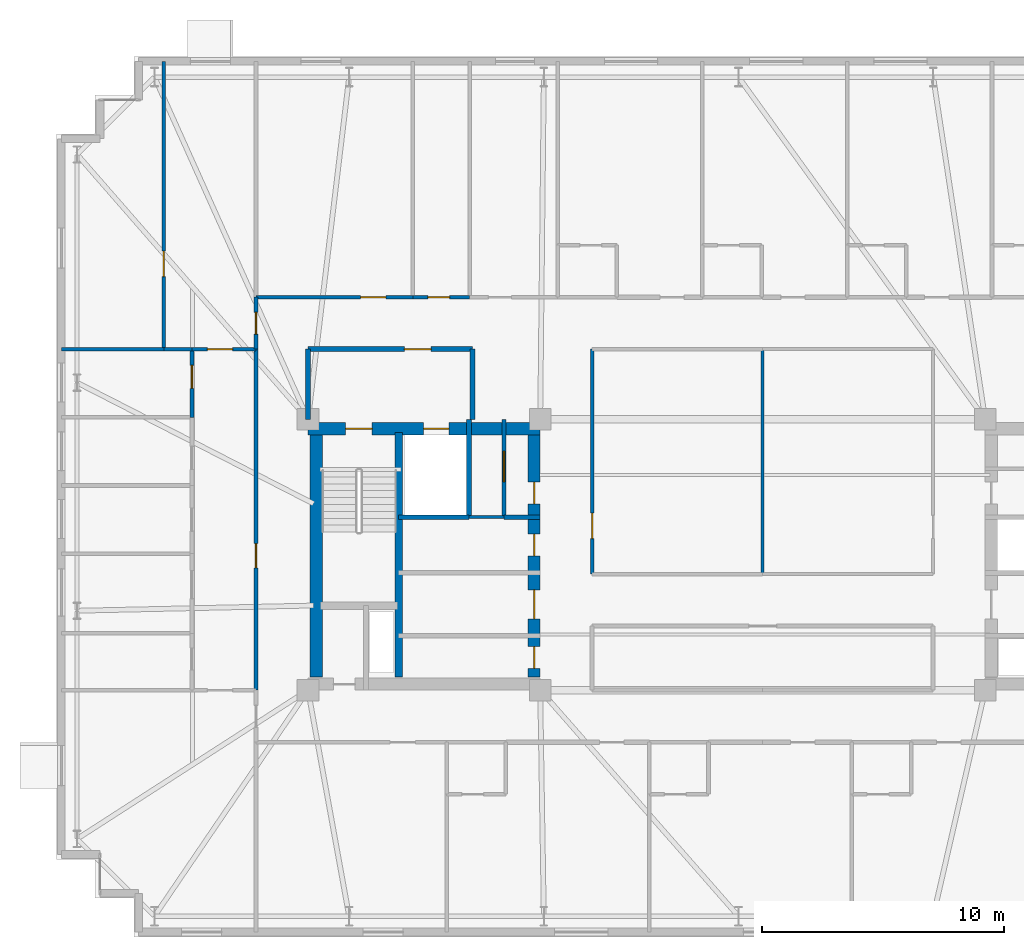
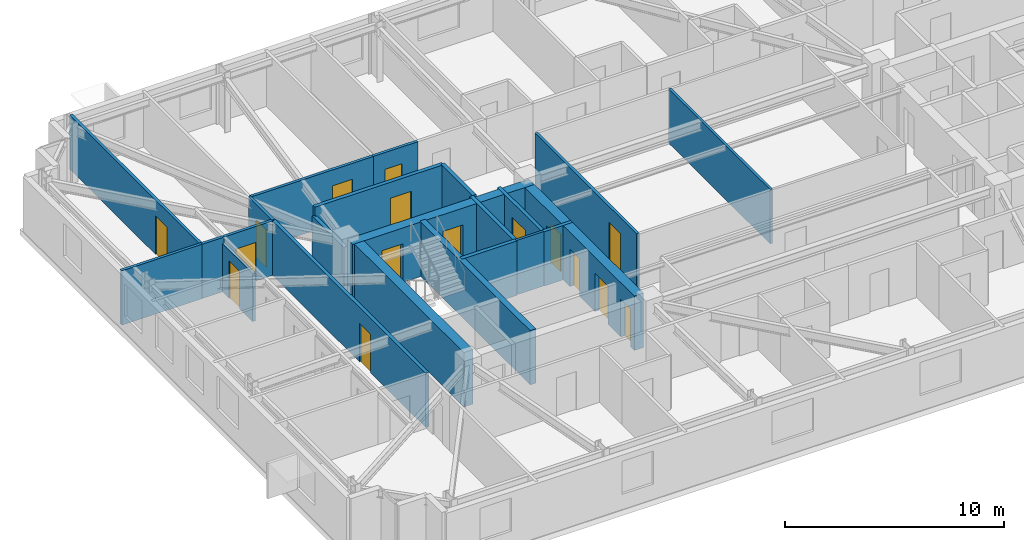
# One storey, part 12 of 18: 23 walls, 16 doors, 16 openings.
"""IFC4 building model written with IfcOpenShell, lengths in metres."""

from ifc_helpers import new_model, si_unit, direction, frame, frame_2d, origin, place, context, subcontext, project, spatial, rectangle, extrude, material, layer, layer_set, type_object, element, fill, save


model = new_model("IFC4")

# Units and contexts
model_context = context("Model", 3, precision=1e-05, world=origin(), true_north=direction((0.0, 1.0)))
body_context = subcontext(model_context, "Body", "Model", "MODEL_VIEW")
ifc_project = project(units=[si_unit("LENGTHUNIT", "METRE"), si_unit("AREAUNIT", "SQUARE_METRE"), si_unit("VOLUMEUNIT", "CUBIC_METRE"), si_unit("PLANEANGLEUNIT", "RADIAN"), si_unit("MASSUNIT", "GRAM", prefix="KILO")], contexts=[model_context])

# Site, building, storey
site_placement = place(None, origin())
site = spatial("IfcSite", under=ifc_project, at=site_placement, CompositionType="ELEMENT")
building_placement = place(site_placement, origin())
building = spatial("IfcBuilding", under=site, at=building_placement, Name="Qobustan Lattice House", CompositionType="ELEMENT")
storey_placement = place(building_placement, frame((0.0, 0.0, 134.35009765625)))
storey = spatial("IfcBuildingStorey", under=building, at=storey_placement, Name="L37", CompositionType="ELEMENT", Elevation=134.35009765625)

# Wall, openings, doors
ifc_material_1 = material(Name="Concrete C50/60", Category="concrete")
ifc_layer_1 = layer(ifc_material_1, 0.5)
ifc_layer_set_1 = layer_set([ifc_layer_1], Name="Concrete C50/60")
wall_type_1 = type_object("IfcWallType", Name="WAL-CORE-500", PredefinedType="SHEAR", material=ifc_layer_set_1)
wall_1_placement = place(storey_placement, frame((-18.800048828125, 5.2099609375, 0.0), z_axis=(0.0, 0.0, 1.0), x_axis=(1.0, 0.0, 0.0)))
wall_1 = element("IfcWall", 1, at=wall_1_placement, inside=storey, type_object=wall_type_1, Name="L37 split-core shear wall CW-N", PredefinedType="SHEAR", context=body_context, shape_type="SweptSolid", body=[
    extrude(rectangle(XDim=9.60009765625, YDim=0.5, at=frame_2d((4.800048828125, 0.0))), origin(), (0.0, 0.0, 1.0), 3.039794921875),
])
opening_1_placement = place(wall_1_placement, frame((1.550048828125, 0.0, 0.0)))
opening_1 = element("IfcOpeningElement", 2, at=opening_1_placement, cuts=wall_1, Name="Opening SD-01", PredefinedType="OPENING", context=body_context, shape_type="SweptSolid", body=[
    extrude(rectangle(XDim=1.10009765625, YDim=2.14990234375, at=frame_2d((0.550048828125, 1.074951171875))), frame((0.0, 0.260009765625, 0.0), z_axis=(0.0, -1.0, 0.0), x_axis=(1.0, 0.0, 0.0)), (0.0, 0.0, 1.0), 0.52001953125),
])
opening_2_placement = place(wall_1_placement, frame((4.77490234375, 0.0, 0.0)))
opening_2 = element("IfcOpeningElement", 3, at=opening_2_placement, cuts=wall_1, Name="Opening LD-01", PredefinedType="OPENING", context=body_context, shape_type="SweptSolid", body=[
    extrude(rectangle(XDim=1.050048828125, YDim=2.10009765625, at=frame_2d((0.52490234375, 1.050048828125))), frame((0.0, 0.260009765625, 0.0), z_axis=(0.0, -1.0, 0.0), x_axis=(1.0, 0.0, 0.0)), (0.0, 0.0, 1.0), 0.52001953125),
])
ifc_material_2 = material(Name="Persian walnut timber and steel frame door", Category="steel")
door_type_1 = type_object("IfcDoorType", Name="DOR-LIFT-LD-1050x2100", OperationType="NOTDEFINED", PredefinedType="DOOR", material=ifc_material_2)
door_1_placement = place(opening_2_placement, origin())
door_1 = element("IfcDoor", 4, at=door_1_placement, inside=storey, type_object=door_type_1, Name="L37 firefighting lift FF-W landing door", OperationType="DOUBLE_DOOR_SLIDING", OverallHeight=2.10009765625, OverallWidth=1.050048828125, PredefinedType="DOOR", context=body_context, shape_type="SweptSolid", body=[
    extrude(rectangle(XDim=1.050048828125, YDim=2.10009765625, at=frame_2d((0.52490234375, 1.050048828125))), frame((0.0, 0.02490234375, 0.0), z_axis=(0.0, -1.0, 0.0), x_axis=(1.0, 0.0, 0.0)), (0.0, 0.0, 1.0), 0.050048828125),
])
fill(opening_2, door_1)
ifc_material_3 = material(Name="Persian walnut timber and steel frame door", Category="steel")
door_type_2 = type_object("IfcDoorType", Name="DOR-STAIR-FD-1100x2150", OperationType="NOTDEFINED", PredefinedType="DOOR", material=ifc_material_3)
door_2_placement = place(opening_1_placement, origin())
door_2 = element("IfcDoor", 5, at=door_2_placement, inside=storey, type_object=door_type_2, Name="L37 exit stair ST-W1 fire door", OperationType="SINGLE_SWING_LEFT", OverallHeight=2.14990234375, OverallWidth=1.10009765625, PredefinedType="DOOR", context=body_context, shape_type="SweptSolid", body=[
    extrude(rectangle(XDim=1.10009765625, YDim=2.14990234375, at=frame_2d((0.550048828125, 1.074951171875))), frame((0.0, 0.02490234375, 0.0), z_axis=(0.0, -1.0, 0.0), x_axis=(1.0, 0.0, 0.0)), (0.0, 0.0, 1.0), 0.050048828125),
])
fill(opening_1, door_2)

# Wall
wall_2_placement = place(storey_placement, frame((-18.4599609375, -5.050048828125, 0.0), z_axis=(0.0, 0.0, 1.0), x_axis=(0.0, 1.0, 0.0)))
element("IfcWall", 6, at=wall_2_placement, inside=storey, type_object=wall_type_1, Name="L37 split-core shear wall CW-W", PredefinedType="SHEAR", context=body_context, shape_type="SweptSolid", body=[
    extrude(rectangle(XDim=10.10009765625, YDim=0.5, at=frame_2d((5.050048828125, 0.0))), origin(), (0.0, 0.0, 1.0), 3.039794921875),
])

# Wall, openings, doors
wall_3_placement = place(storey_placement, frame((-9.449951171875, -5.050048828125, 0.0), z_axis=(0.0, 0.0, 1.0), x_axis=(0.0, 1.0, 0.0)))
wall_3 = element("IfcWall", 7, at=wall_3_placement, inside=storey, type_object=wall_type_1, Name="L37 split-core shear wall CW-E", PredefinedType="SHEAR", context=body_context, shape_type="SweptSolid", body=[
    extrude(rectangle(XDim=10.10009765625, YDim=0.5, at=frame_2d((5.050048828125, 0.0))), origin(), (0.0, 0.0, 1.0), 3.039794921875),
])
opening_3_placement = place(wall_3_placement, frame((7.14990234375, 0.0, 0.0)))
opening_3 = element("IfcOpeningElement", 8, at=opening_3_placement, cuts=wall_3, Name="Opening RD-01", PredefinedType="OPENING", context=body_context, shape_type="SweptSolid", body=[
    extrude(rectangle(XDim=0.89990234375, YDim=2.10009765625, at=frame_2d((0.449951171875, 1.050048828125))), frame((0.0, 0.260009765625, 0.0), z_axis=(0.0, -1.0, 0.0), x_axis=(1.0, 0.0, 0.0)), (0.0, 0.0, 1.0), 0.52001953125),
])
opening_4_placement = place(wall_3_placement, frame((2.39990234375, 0.0, 0.0)))
opening_4 = element("IfcOpeningElement", 9, at=opening_4_placement, cuts=wall_3, Name="Opening FD-01", PredefinedType="OPENING", context=body_context, shape_type="SweptSolid", body=[
    extrude(rectangle(XDim=1.199951171875, YDim=2.14990234375, at=frame_2d((0.60009765625, 1.074951171875))), frame((0.0, 0.260009765625, 0.0), z_axis=(0.0, -1.0, 0.0), x_axis=(1.0, 0.0, 0.0)), (0.0, 0.0, 1.0), 0.52001953125),
])
opening_5_placement = place(wall_3_placement, frame((0.35009765625, 0.0, 0.0)))
opening_5 = element("IfcOpeningElement", 10, at=opening_5_placement, cuts=wall_3, Name="Opening RD-01", PredefinedType="OPENING", context=body_context, shape_type="SweptSolid", body=[
    extrude(rectangle(XDim=0.89990234375, YDim=2.10009765625, at=frame_2d((0.449951171875, 1.050048828125))), frame((0.0, 0.260009765625, 0.0), z_axis=(0.0, -1.0, 0.0), x_axis=(1.0, 0.0, 0.0)), (0.0, 0.0, 1.0), 0.52001953125),
])
opening_6_placement = place(wall_3_placement, frame((5.0, 0.0, 0.0)))
opening_6 = element("IfcOpeningElement", 11, at=opening_6_placement, cuts=wall_3, Name="Opening RD-01", PredefinedType="OPENING", context=body_context, shape_type="SweptSolid", body=[
    extrude(rectangle(XDim=0.89990234375, YDim=2.10009765625, at=frame_2d((0.449951171875, 1.050048828125))), frame((0.0, 0.260009765625, 0.0), z_axis=(0.0, -1.0, 0.0), x_axis=(1.0, 0.0, 0.0)), (0.0, 0.0, 1.0), 0.52001953125),
])
ifc_material_4 = material(Name="Persian walnut timber and steel frame door", Category="steel")
door_type_3 = type_object("IfcDoorType", Name="DOR-LOBBY-FD-1200x2150", OperationType="NOTDEFINED", PredefinedType="DOOR", material=ifc_material_4)
door_3_placement = place(opening_4_placement, origin())
door_3 = element("IfcDoor", 12, at=door_3_placement, inside=storey, type_object=door_type_3, Name="L37 West core foyer fire door", OperationType="SINGLE_SWING_RIGHT", OverallHeight=2.14990234375, OverallWidth=1.199951171875, PredefinedType="DOOR", context=body_context, shape_type="SweptSolid", body=[
    extrude(rectangle(XDim=1.199951171875, YDim=2.14990234375, at=frame_2d((0.60009765625, 1.074951171875))), frame((0.0, 0.02490234375, 0.0), z_axis=(0.0, -1.0, 0.0), x_axis=(1.0, 0.0, 0.0)), (0.0, 0.0, 1.0), 0.050048828125),
])
fill(opening_4, door_3)
ifc_material_5 = material(Name="Persian walnut timber and steel frame door", Category="steel")
door_type_4 = type_object("IfcDoorType", Name="DOR-RISER-FD-900x2100", OperationType="NOTDEFINED", PredefinedType="DOOR", material=ifc_material_5)
door_4_placement = place(opening_3_placement, origin())
door_4 = element("IfcDoor", 13, at=door_4_placement, inside=storey, type_object=door_type_4, Name="L37 Data comms closet fire door", OperationType="SINGLE_SWING_LEFT", OverallHeight=2.10009765625, OverallWidth=0.89990234375, PredefinedType="DOOR", context=body_context, shape_type="SweptSolid", body=[
    extrude(rectangle(XDim=0.89990234375, YDim=2.10009765625, at=frame_2d((0.449951171875, 1.050048828125))), frame((0.0, 0.02490234375, 0.0), z_axis=(0.0, -1.0, 0.0), x_axis=(1.0, 0.0, 0.0)), (0.0, 0.0, 1.0), 0.050048828125),
])
fill(opening_3, door_4)
door_5_placement = place(opening_5_placement, origin())
door_5 = element("IfcDoor", 14, at=door_5_placement, inside=storey, type_object=door_type_4, Name="L37 Collaborative study lounge fire door", OperationType="SINGLE_SWING_LEFT", OverallHeight=2.10009765625, OverallWidth=0.89990234375, PredefinedType="DOOR", context=body_context, shape_type="SweptSolid", body=[
    extrude(rectangle(XDim=0.89990234375, YDim=2.10009765625, at=frame_2d((0.449951171875, 1.050048828125))), frame((0.0, 0.02490234375, 0.0), z_axis=(0.0, -1.0, 0.0), x_axis=(1.0, 0.0, 0.0)), (0.0, 0.0, 1.0), 0.050048828125),
])
fill(opening_5, door_5)
door_6_placement = place(opening_6_placement, origin())
door_6 = element("IfcDoor", 15, at=door_6_placement, inside=storey, type_object=door_type_4, Name="L37 Focus booth pod fire door", OperationType="SINGLE_SWING_RIGHT", OverallHeight=2.10009765625, OverallWidth=0.89990234375, PredefinedType="DOOR", context=body_context, shape_type="SweptSolid", body=[
    extrude(rectangle(XDim=0.89990234375, YDim=2.10009765625, at=frame_2d((0.449951171875, 1.050048828125))), frame((0.0, 0.02490234375, 0.0), z_axis=(0.0, -1.0, 0.0), x_axis=(1.0, 0.0, 0.0)), (0.0, 0.0, 1.0), 0.050048828125),
])
fill(opening_6, door_6)

# Wall
ifc_material_6 = material(Name="Concrete C50/60", Category="concrete")
ifc_layer_2 = layer(ifc_material_6, 0.280029296875)
ifc_layer_set_2 = layer_set([ifc_layer_2], Name="Concrete C50/60")
wall_type_2 = type_object("IfcWallType", Name="WAL-CORE-SPINE-280", PredefinedType="SHEAR", material=ifc_layer_set_2)
wall_4_placement = place(storey_placement, frame((-15.050048828125, -5.050048828125, 0.0), z_axis=(0.0, 0.0, 1.0), x_axis=(0.0, 1.0, 0.0)))
element("IfcWall", 16, at=wall_4_placement, inside=storey, type_object=wall_type_2, Name="L37 split-core shear wall CW-M", PredefinedType="SHEAR", context=body_context, shape_type="SweptSolid", body=[
    extrude(rectangle(XDim=10.10009765625, YDim=0.300048828125, at=frame_2d((5.050048828125, 0.0))), origin(), (0.0, 0.0, 1.0), 3.039794921875),
])

# Wall, opening, door
ifc_material_7 = material(Name="Gypsum fireboard acoustic partition", Category="gypsum")
ifc_layer_3 = layer(ifc_material_7, 0.179931640625)
ifc_layer_set_3 = layer_set([ifc_layer_3], Name="Gypsum fireboard acoustic partition")
wall_type_3 = type_object("IfcWallType", Name="WAL-FIRE-180", PredefinedType="PARTITIONING", material=ifc_layer_set_3)
wall_5_placement = place(storey_placement, frame((-10.699951171875, 5.60009765625, 0.0), z_axis=(0.0, 0.0, 1.0), x_axis=(0.0, -1.0, 0.0)))
wall_5 = element("IfcWall", 17, at=wall_5_placement, inside=storey, type_object=wall_type_3, Name="L37 interior partition 6", PredefinedType="PARTITIONING", context=body_context, shape_type="SweptSolid", body=[
    extrude(rectangle(XDim=4.050048828125, YDim=0.179931640625, at=frame_2d((2.02490234375, 0.0))), origin(), (0.0, 0.0, 1.0), 3.039794921875),
])
opening_7_placement = place(wall_5_placement, frame((1.324951171875, 0.0, 0.0)))
opening_7 = element("IfcOpeningElement", 18, at=opening_7_placement, cuts=wall_5, Name="Opening FD-03", PredefinedType="OPENING", context=body_context, shape_type="SweptSolid", body=[
    extrude(rectangle(XDim=1.25, YDim=2.199951171875, at=frame_2d((0.625, 1.10009765625))), frame((0.0, 0.099853515625, 0.0), z_axis=(0.0, -1.0, 0.0), x_axis=(1.0, 0.0, 0.0)), (0.0, 0.0, 1.0), 0.199951171875),
])
ifc_material_8 = material(Name="Persian walnut timber and steel frame door", Category="steel")
door_type_5 = type_object("IfcDoorType", Name="DOR-PLANT-1250x2200", OperationType="NOTDEFINED", PredefinedType="DOOR", material=ifc_material_8)
door_7_placement = place(opening_7_placement, origin())
door_7 = element("IfcDoor", 19, at=door_7_placement, inside=storey, type_object=door_type_5, Name="L37 Data comms closet to Linen store door", OperationType="SINGLE_SWING_RIGHT", OverallHeight=2.199951171875, OverallWidth=1.25, PredefinedType="DOOR", context=body_context, shape_type="SweptSolid", body=[
    extrude(rectangle(XDim=1.25, YDim=2.199951171875, at=frame_2d((0.625, 1.10009765625))), frame((0.0, 0.02490234375, 0.0), z_axis=(0.0, -1.0, 0.0), x_axis=(1.0, 0.0, 0.0)), (0.0, 0.0, 1.0), 0.050048828125),
])
fill(opening_7, door_7)

# Wall
wall_6_placement = place(storey_placement, frame((-10.699951171875, 1.550048828125, 0.0), z_axis=(0.0, 0.0, 1.0), x_axis=(1.0, 0.0, 0.0)))
element("IfcWall", 20, at=wall_6_placement, inside=storey, type_object=wall_type_3, Name="L37 interior partition 7", PredefinedType="PARTITIONING", context=body_context, shape_type="SweptSolid", body=[
    extrude(rectangle(XDim=1.5, YDim=0.179931640625, at=frame_2d((0.75, 0.0))), origin(), (0.0, 0.0, 1.0), 3.039794921875),
])

# Wall, opening, door
wall_7_placement = place(storey_placement, frame((-20.949951171875, -5.60009765625, 0.0), z_axis=(0.0, 0.0, 1.0), x_axis=(0.0, 1.0, 0.0)))
wall_7 = element("IfcWall", 21, at=wall_7_placement, inside=storey, type_object=wall_type_3, Name="L37 interior partition 63", PredefinedType="PARTITIONING", context=body_context, shape_type="SweptSolid", body=[
    extrude(rectangle(XDim=14.10009765625, YDim=0.179931640625, at=frame_2d((7.050048828125, 0.0))), origin(), (0.0, 0.0, 1.0), 3.039794921875),
])
opening_8_placement = place(wall_7_placement, frame((5.0576171875, 0.0, 0.0)))
opening_8 = element("IfcOpeningElement", 22, at=opening_8_placement, cuts=wall_7, Name="Opening FD-02", PredefinedType="OPENING", context=body_context, shape_type="SweptSolid", body=[
    extrude(rectangle(XDim=1.0, YDim=2.14990234375, at=frame_2d((0.5, 1.074951171875))), frame((0.0, 0.099853515625, 0.0), z_axis=(0.0, -1.0, 0.0), x_axis=(1.0, 0.0, 0.0)), (0.0, 0.0, 1.0), 0.199951171875),
])
ifc_material_9 = material(Name="Persian walnut timber and steel frame door", Category="steel")
door_type_6 = type_object("IfcDoorType", Name="DOR-UNIT-FD-1000x2150", OperationType="NOTDEFINED", PredefinedType="DOOR", material=ifc_material_9)
door_8_placement = place(opening_8_placement, origin())
door_8 = element("IfcDoor", 23, at=door_8_placement, inside=storey, type_object=door_type_6, Name="L37 West wing spine gallery to Residence entrance hall L37W door", OperationType="SINGLE_SWING_RIGHT", OverallHeight=2.14990234375, OverallWidth=1.0, PredefinedType="DOOR", context=body_context, shape_type="SweptSolid", body=[
    extrude(rectangle(XDim=1.0, YDim=2.14990234375, at=frame_2d((0.5, 1.074951171875))), frame((0.0, 0.02490234375, 0.0), z_axis=(0.0, -1.0, 0.0), x_axis=(1.0, 0.0, 0.0)), (0.0, 0.0, 1.0), 0.050048828125),
])
fill(opening_8, door_8)

# Walls
ifc_material_10 = material(Name="Lightweight acoustic stud partition", Category="gypsum")
ifc_layer_4 = layer(ifc_material_10, 0.125)
ifc_layer_set_4 = layer_set([ifc_layer_4], Name="Lightweight acoustic stud partition")
wall_type_4 = type_object("IfcWallType", Name="WAL-PART-125", PredefinedType="PARTITIONING", material=ifc_layer_set_4)
wall_8_placement = place(storey_placement, frame((-12.14990234375, 1.550048828125, 0.0), z_axis=(0.0, 0.0, 1.0), x_axis=(1.0, 0.0, 0.0)))
element("IfcWall", 24, at=wall_8_placement, inside=storey, type_object=wall_type_4, Name="L37 interior partition 9", PredefinedType="PARTITIONING", context=body_context, shape_type="SweptSolid", body=[
    extrude(rectangle(XDim=1.449951171875, YDim=0.125, at=frame_2d((0.72509765625, 0.0))), origin(), (0.0, 0.0, 1.0), 3.039794921875),
])
wall_9_placement = place(storey_placement, frame((0.0, 8.5, 0.0), z_axis=(0.0, 0.0, 1.0), x_axis=(0.0, -1.0, 0.0)))
element("IfcWall", 25, at=wall_9_placement, inside=storey, type_object=wall_type_4, Name="L37 interior partition 136", PredefinedType="PARTITIONING", context=body_context, shape_type="SweptSolid", body=[
    extrude(rectangle(XDim=9.300048828125, YDim=0.125, at=frame_2d((4.64990234375, 0.0))), origin(), (0.0, 0.0, 1.0), 3.039794921875),
])

# Wall, opening, door
ifc_material_11 = material(Name="Acoustic twin-stud gypsum partition", Category="gypsum")
ifc_layer_5 = layer(ifc_material_11, 0.14990234375)
ifc_layer_set_5 = layer_set([ifc_layer_5], Name="Acoustic twin-stud gypsum partition")
wall_type_5 = type_object("IfcWallType", Name="WAL-PART-150", PredefinedType="PARTITIONING", material=ifc_layer_set_5)
wall_10_placement = place(storey_placement, frame((-20.949951171875, 8.5, 0.0), z_axis=(0.0, 0.0, 1.0), x_axis=(0.0, 1.0, 0.0)))
wall_10 = element("IfcWall", 26, at=wall_10_placement, inside=storey, type_object=wall_type_5, Name="L37 interior partition 34", PredefinedType="PARTITIONING", context=body_context, shape_type="SweptSolid", body=[
    extrude(rectangle(XDim=2.14990234375, YDim=0.14990234375, at=frame_2d((1.074951171875, 0.0))), origin(), (0.0, 0.0, 1.0), 3.039794921875),
])
opening_9_placement = place(wall_10_placement, frame((0.625, 0.0, 0.0)))
opening_9 = element("IfcOpeningElement", 27, at=opening_9_placement, cuts=wall_10, Name="Opening WD-01", PredefinedType="OPENING", context=body_context, shape_type="SweptSolid", body=[
    extrude(rectangle(XDim=0.89990234375, YDim=2.10009765625, at=frame_2d((0.449951171875, 1.050048828125))), frame((0.0, 0.0849609375, 0.0), z_axis=(0.0, -1.0, 0.0), x_axis=(1.0, 0.0, 0.0)), (0.0, 0.0, 1.0), 0.169921875),
])
ifc_material_12 = material(Name="Persian walnut timber and steel frame door", Category="steel")
door_type_7 = type_object("IfcDoorType", Name="DOR-WET-900x2100", OperationType="NOTDEFINED", PredefinedType="DOOR", material=ifc_material_12)
door_9_placement = place(opening_9_placement, origin())
door_9 = element("IfcDoor", 28, at=door_9_placement, inside=storey, type_object=door_type_7, Name="L37 North-west floor corridor to Reading seminar room L37WN door", OperationType="SINGLE_SWING_LEFT", OverallHeight=2.10009765625, OverallWidth=0.89990234375, PredefinedType="DOOR", context=body_context, shape_type="SweptSolid", body=[
    extrude(rectangle(XDim=0.89990234375, YDim=2.10009765625, at=frame_2d((0.449951171875, 1.050048828125))), frame((0.0, 0.02490234375, 0.0), z_axis=(0.0, -1.0, 0.0), x_axis=(1.0, 0.0, 0.0)), (0.0, 0.0, 1.0), 0.050048828125),
])
fill(opening_9, door_9)

wall_11_placement = place(storey_placement, frame((-20.949951171875, 10.64990234375, 0.0), z_axis=(0.0, 0.0, 1.0), x_axis=(1.0, 0.0, 0.0)))
wall_11 = element("IfcWall", 29, at=wall_11_placement, inside=storey, type_object=wall_type_5, Name="L37 interior partition 35", PredefinedType="PARTITIONING", context=body_context, shape_type="SweptSolid", body=[
    extrude(rectangle(XDim=6.48583984375, YDim=0.14990234375, at=frame_2d((3.242919921875, 0.0))), origin(), (0.0, 0.0, 1.0), 3.039794921875),
])
opening_10_placement = place(wall_11_placement, frame((4.321533203125, 0.0, 0.0)))
opening_10 = element("IfcOpeningElement", 30, at=opening_10_placement, cuts=wall_11, Name="Opening ID-02", PredefinedType="OPENING", context=body_context, shape_type="SweptSolid", body=[
    extrude(rectangle(XDim=1.050048828125, YDim=2.14990234375, at=frame_2d((0.52490234375, 1.074951171875))), frame((0.0, 0.0849609375, 0.0), z_axis=(0.0, -1.0, 0.0), x_axis=(1.0, 0.0, 0.0)), (0.0, 0.0, 1.0), 0.169921875),
])
ifc_material_13 = material(Name="Persian walnut timber and steel frame door", Category="steel")
door_type_8 = type_object("IfcDoorType", Name="DOR-STUDY-1050x2150", OperationType="NOTDEFINED", PredefinedType="DOOR", material=ifc_material_13)
door_10_placement = place(opening_10_placement, origin())
door_10 = element("IfcDoor", 31, at=door_10_placement, inside=storey, type_object=door_type_8, Name="L37 North-west floor corridor to Focus study room N1 door", OperationType="SINGLE_SWING_RIGHT", OverallHeight=2.14990234375, OverallWidth=1.050048828125, PredefinedType="DOOR", context=body_context, shape_type="SweptSolid", body=[
    extrude(rectangle(XDim=1.050048828125, YDim=2.14990234375, at=frame_2d((0.52490234375, 1.074951171875))), frame((0.0, 0.02490234375, 0.0), z_axis=(0.0, -1.0, 0.0), x_axis=(1.0, 0.0, 0.0)), (0.0, 0.0, 1.0), 0.050048828125),
])
fill(opening_10, door_10)

wall_12_placement = place(storey_placement, frame((-7.050048828125, 8.5, 0.0), z_axis=(0.0, 0.0, 1.0), x_axis=(0.0, -1.0, 0.0)))
wall_12 = element("IfcWall", 32, at=wall_12_placement, inside=storey, type_object=wall_type_5, Name="L37 interior partition 68", PredefinedType="PARTITIONING", context=body_context, shape_type="SweptSolid", body=[
    extrude(rectangle(XDim=9.300048828125, YDim=0.14990234375, at=frame_2d((4.64990234375, 0.0))), origin(), (0.0, 0.0, 1.0), 3.039794921875),
])
opening_11_placement = place(wall_12_placement, frame((6.78369140625, 0.0, 0.0)))
opening_11 = element("IfcOpeningElement", 33, at=opening_11_placement, cuts=wall_12, Name="Opening ID-02", PredefinedType="OPENING", context=body_context, shape_type="SweptSolid", body=[
    extrude(rectangle(XDim=1.050048828125, YDim=2.14990234375, at=frame_2d((0.52490234375, 1.074951171875))), frame((0.0, 0.0849609375, 0.0), z_axis=(0.0, -1.0, 0.0), x_axis=(1.0, 0.0, 0.0)), (0.0, 0.0, 1.0), 0.169921875),
])
door_11_placement = place(opening_11_placement, origin())
door_11 = element("IfcDoor", 34, at=door_11_placement, inside=storey, type_object=door_type_8, Name="L37 West floor link corridor to Central study commons door", OperationType="SINGLE_SWING_LEFT", OverallHeight=2.14990234375, OverallWidth=1.050048828125, PredefinedType="DOOR", context=body_context, shape_type="SweptSolid", body=[
    extrude(rectangle(XDim=1.050048828125, YDim=2.14990234375, at=frame_2d((0.52490234375, 1.074951171875))), frame((0.0, 0.02490234375, 0.0), z_axis=(0.0, -1.0, 0.0), x_axis=(1.0, 0.0, 0.0)), (0.0, 0.0, 1.0), 0.050048828125),
])
fill(opening_11, door_11)

wall_13_placement = place(storey_placement, frame((-23.60009765625, 8.5, 0.0), z_axis=(0.0, 0.0, 1.0), x_axis=(1.0, 0.0, 0.0)))
wall_13 = element("IfcWall", 35, at=wall_13_placement, inside=storey, type_object=wall_type_5, Name="L37 interior partition 72", PredefinedType="PARTITIONING", context=body_context, shape_type="SweptSolid", body=[
    extrude(rectangle(XDim=2.650146484375, YDim=0.14990234375, at=frame_2d((1.3251953125, 0.0))), origin(), (0.0, 0.0, 1.0), 3.039794921875),
])
opening_12_placement = place(wall_13_placement, frame((0.635009765625, 0.0, 0.0)))
opening_12 = element("IfcOpeningElement", 36, at=opening_12_placement, cuts=wall_13, Name="Opening ID-02", PredefinedType="OPENING", context=body_context, shape_type="SweptSolid", body=[
    extrude(rectangle(XDim=1.050048828125, YDim=2.14990234375, at=frame_2d((0.52490234375, 1.074951171875))), frame((0.0, 0.0849609375, 0.0), z_axis=(0.0, -1.0, 0.0), x_axis=(1.0, 0.0, 0.0)), (0.0, 0.0, 1.0), 0.169921875),
])
door_12_placement = place(opening_12_placement, origin())
door_12 = element("IfcDoor", 37, at=door_12_placement, inside=storey, type_object=door_type_8, Name="L37 Residence entrance hall L37W to Reading seminar room L37WN door", OperationType="SINGLE_SWING_LEFT", OverallHeight=2.14990234375, OverallWidth=1.050048828125, PredefinedType="DOOR", context=body_context, shape_type="SweptSolid", body=[
    extrude(rectangle(XDim=1.050048828125, YDim=2.14990234375, at=frame_2d((0.52490234375, 1.074951171875))), frame((0.0, 0.02490234375, 0.0), z_axis=(0.0, -1.0, 0.0), x_axis=(1.0, 0.0, 0.0)), (0.0, 0.0, 1.0), 0.050048828125),
])
fill(opening_12, door_12)

wall_14_placement = place(storey_placement, frame((-23.60009765625, 5.679931640625, 0.0), z_axis=(0.0, 0.0, 1.0), x_axis=(0.0, 1.0, 0.0)))
wall_14 = element("IfcWall", 38, at=wall_14_placement, inside=storey, type_object=wall_type_5, Name="L37 interior partition 78", PredefinedType="PARTITIONING", context=body_context, shape_type="SweptSolid", body=[
    extrude(rectangle(XDim=2.820068359375, YDim=0.14990234375, at=frame_2d((1.41015625, 0.0))), origin(), (0.0, 0.0, 1.0), 2.69482421875),
])
opening_13_placement = place(wall_14_placement, frame((1.201171875, 0.0, 0.0)))
opening_13 = element("IfcOpeningElement", 39, at=opening_13_placement, cuts=wall_14, Name="Opening ID-01", PredefinedType="OPENING", context=body_context, shape_type="SweptSolid", body=[
    extrude(rectangle(XDim=0.949951171875, YDim=2.10009765625, at=frame_2d((0.47509765625, 1.050048828125))), frame((0.0, 0.0849609375, 0.0), z_axis=(0.0, -1.0, 0.0), x_axis=(1.0, 0.0, 0.0)), (0.0, 0.0, 1.0), 0.169921875),
])
ifc_material_14 = material(Name="Persian walnut timber and steel frame door", Category="steel")
door_type_9 = type_object("IfcDoorType", Name="DOR-ROOM-950x2100", OperationType="NOTDEFINED", PredefinedType="DOOR", material=ifc_material_14)
door_13_placement = place(opening_13_placement, origin())
door_13 = element("IfcDoor", 40, at=door_13_placement, inside=storey, type_object=door_type_9, Name="L37 Residence entrance hall L37W to Cluster bedroom L37W3 door", OperationType="SINGLE_SWING_LEFT", OverallHeight=2.10009765625, OverallWidth=0.949951171875, PredefinedType="DOOR", context=body_context, shape_type="SweptSolid", body=[
    extrude(rectangle(XDim=0.949951171875, YDim=2.10009765625, at=frame_2d((0.47509765625, 1.050048828125))), frame((0.0, 0.02490234375, 0.0), z_axis=(0.0, -1.0, 0.0), x_axis=(1.0, 0.0, 0.0)), (0.0, 0.0, 1.0), 0.050048828125),
])
fill(opening_13, door_13)

wall_15_placement = place(storey_placement, frame((-24.764892578125, 8.5, 0.0), z_axis=(0.0, 0.0, 1.0), x_axis=(0.0, 1.0, 0.0)))
wall_15 = element("IfcWall", 41, at=wall_15_placement, inside=storey, type_object=wall_type_5, Name="L37 interior partition 79", PredefinedType="PARTITIONING", context=body_context, shape_type="SweptSolid", body=[
    extrude(rectangle(XDim=11.89990234375, YDim=0.14990234375, at=frame_2d((5.949951171875, 0.0))), origin(), (0.0, 0.0, 1.0), 3.039794921875),
])
opening_14_placement = place(wall_15_placement, frame((3.00244140625, 0.0, 0.0)))
opening_14 = element("IfcOpeningElement", 42, at=opening_14_placement, cuts=wall_15, Name="Opening ID-02", PredefinedType="OPENING", context=body_context, shape_type="SweptSolid", body=[
    extrude(rectangle(XDim=1.050048828125, YDim=2.14990234375, at=frame_2d((0.52490234375, 1.074951171875))), frame((0.0, 0.0849609375, 0.0), z_axis=(0.0, -1.0, 0.0), x_axis=(1.0, 0.0, 0.0)), (0.0, 0.0, 1.0), 0.169921875),
])
door_14_placement = place(opening_14_placement, origin())
door_14 = element("IfcDoor", 43, at=door_14_placement, inside=storey, type_object=door_type_8, Name="L37 Reading seminar room L37WN to Collaborative study room L37WN door", OperationType="SINGLE_SWING_RIGHT", OverallHeight=2.14990234375, OverallWidth=1.050048828125, PredefinedType="DOOR", context=body_context, shape_type="SweptSolid", body=[
    extrude(rectangle(XDim=1.050048828125, YDim=2.14990234375, at=frame_2d((0.52490234375, 1.074951171875))), frame((0.0, 0.02490234375, 0.0), z_axis=(0.0, -1.0, 0.0), x_axis=(1.0, 0.0, 0.0)), (0.0, 0.0, 1.0), 0.050048828125),
])
fill(opening_14, door_14)

# Walls
wall_16_placement = place(storey_placement, frame((-23.60009765625, 8.5, 0.0), z_axis=(0.0, 0.0, 1.0), x_axis=(-1.0, 0.0, 0.0)))
element("IfcWall", 44, at=wall_16_placement, inside=storey, type_object=wall_type_5, Name="L37 interior partition 80", PredefinedType="PARTITIONING", context=body_context, shape_type="SweptSolid", body=[
    extrude(rectangle(XDim=1.164794921875, YDim=0.14990234375, at=frame_2d((0.58251953125, 0.0))), origin(), (0.0, 0.0, 1.0), 3.039794921875),
])
wall_17_placement = place(storey_placement, frame((-24.764892578125, 8.5, 0.0), z_axis=(0.0, 0.0, 1.0), x_axis=(-1.0, 0.0, 0.0)))
element("IfcWall", 45, at=wall_17_placement, inside=storey, type_object=wall_type_5, Name="L37 interior partition 82", PredefinedType="PARTITIONING", context=body_context, shape_type="SweptSolid", body=[
    extrude(rectangle(XDim=4.235107421875, YDim=0.14990234375, at=frame_2d((2.11767578125, 0.0))), origin(), (0.0, 0.0, 1.0), 3.039794921875),
])

# Wall, opening, door
ifc_material_15 = material(Name="Two-hour gypsum fireboard acoustic partition", Category="gypsum")
ifc_layer_6 = layer(ifc_material_15, 0.199951171875)
ifc_layer_set_6 = layer_set([ifc_layer_6], Name="Two-hour gypsum fireboard acoustic partition")
wall_type_6 = type_object("IfcWallType", Name="WAL-PROT-200", PredefinedType="PARTITIONING", material=ifc_layer_set_6)
wall_18_placement = place(storey_placement, frame((-12.0, 8.5, 0.0), z_axis=(0.0, 0.0, 1.0), x_axis=(-1.0, 0.0, 0.0)))
wall_18 = element("IfcWall", 46, at=wall_18_placement, inside=storey, type_object=wall_type_6, Name="L37 interior partition 3", PredefinedType="PARTITIONING", context=body_context, shape_type="SweptSolid", body=[
    extrude(rectangle(XDim=6.800048828125, YDim=0.199951171875, at=frame_2d((3.39990234375, 0.0))), origin(), (0.0, 0.0, 1.0), 3.039794921875),
])
opening_15_placement = place(wall_18_placement, frame((1.715087890625, 0.0, 0.0)))
opening_15 = element("IfcOpeningElement", 47, at=opening_15_placement, cuts=wall_18, Name="Opening SD-01", PredefinedType="OPENING", context=body_context, shape_type="SweptSolid", body=[
    extrude(rectangle(XDim=1.10009765625, YDim=2.14990234375, at=frame_2d((0.550048828125, 1.074951171875))), frame((0.0, 0.10986328125, 0.0), z_axis=(0.0, -1.0, 0.0), x_axis=(1.0, 0.0, 0.0)), (0.0, 0.0, 1.0), 0.219970703125),
])
door_15_placement = place(opening_15_placement, origin())
door_15 = element("IfcDoor", 48, at=door_15_placement, inside=storey, type_object=door_type_2, Name="L37 West firefighting lift lobby to North-west floor corridor door", OperationType="SINGLE_SWING_LEFT", OverallHeight=2.14990234375, OverallWidth=1.10009765625, PredefinedType="DOOR", context=body_context, shape_type="SweptSolid", body=[
    extrude(rectangle(XDim=1.10009765625, YDim=2.14990234375, at=frame_2d((0.550048828125, 1.074951171875))), frame((0.0, 0.02490234375, 0.0), z_axis=(0.0, -1.0, 0.0), x_axis=(1.0, 0.0, 0.0)), (0.0, 0.0, 1.0), 0.050048828125),
])
fill(opening_15, door_15)

# Walls
wall_19_placement = place(storey_placement, frame((-18.800048828125, 8.5, 0.0), z_axis=(0.0, 0.0, 1.0), x_axis=(0.0, -1.0, 0.0)))
element("IfcWall", 49, at=wall_19_placement, inside=storey, type_object=wall_type_6, Name="L37 interior partition 4", PredefinedType="PARTITIONING", context=body_context, shape_type="SweptSolid", body=[
    extrude(rectangle(XDim=2.89990234375, YDim=0.199951171875, at=frame_2d((1.449951171875, 0.0))), origin(), (0.0, 0.0, 1.0), 2.52490234375),
])
wall_20_placement = place(storey_placement, frame((-12.0, 5.60009765625, 0.0), z_axis=(0.0, 0.0, 1.0), x_axis=(0.0, 1.0, 0.0)))
element("IfcWall", 50, at=wall_20_placement, inside=storey, type_object=wall_type_6, Name="L37 interior partition 5", PredefinedType="PARTITIONING", context=body_context, shape_type="SweptSolid", body=[
    extrude(rectangle(XDim=2.89990234375, YDim=0.199951171875, at=frame_2d((1.449951171875, 0.0))), origin(), (0.0, 0.0, 1.0), 3.039794921875),
])
ifc_material_16 = material(Name="Concrete C40/50", Category="concrete")
ifc_layer_7 = layer(ifc_material_16, 0.199951171875)
ifc_layer_set_7 = layer_set([ifc_layer_7], Name="Concrete C40/50")
wall_type_7 = type_object("IfcWallType", Name="WAL-SHAFT-200", PredefinedType="PARTITIONING", material=ifc_layer_set_7)
wall_21_placement = place(storey_placement, frame((-12.14990234375, 1.550048828125, 0.0), z_axis=(0.0, 0.0, 1.0), x_axis=(0.0, 1.0, 0.0)))
element("IfcWall", 51, at=wall_21_placement, inside=storey, type_object=wall_type_7, Name="L37 interior partition 2", PredefinedType="PARTITIONING", context=body_context, shape_type="SweptSolid", body=[
    extrude(rectangle(XDim=4.050048828125, YDim=0.199951171875, at=frame_2d((2.02490234375, 0.0))), origin(), (0.0, 0.0, 1.0), 3.039794921875),
])
wall_22_placement = place(storey_placement, frame((-15.050048828125, 1.550048828125, 0.0), z_axis=(0.0, 0.0, 1.0), x_axis=(1.0, 0.0, 0.0)))
element("IfcWall", 52, at=wall_22_placement, inside=storey, type_object=wall_type_7, Name="L37 interior partition 137", PredefinedType="PARTITIONING", context=body_context, shape_type="SweptSolid", body=[
    extrude(rectangle(XDim=2.900146484375, YDim=0.199951171875, at=frame_2d((1.4501953125, 0.0))), origin(), (0.0, 0.0, 1.0), 3.039794921875),
])

# Wall, opening, door
ifc_material_17 = material(Name="Moisture-resistant acoustic plumbing wall", Category="gypsum")
ifc_layer_8 = layer(ifc_material_17, 0.14990234375)
ifc_layer_set_8 = layer_set([ifc_layer_8], Name="Moisture-resistant acoustic plumbing wall")
wall_type_8 = type_object("IfcWallType", Name="WAL-WET-150", PredefinedType="PLUMBINGWALL", material=ifc_layer_set_8)
wall_23_placement = place(storey_placement, frame((-14.464111328125, 10.64990234375, 0.0), z_axis=(0.0, 0.0, 1.0), x_axis=(1.0, 0.0, 0.0)))
wall_23 = element("IfcWall", 53, at=wall_23_placement, inside=storey, type_object=wall_type_8, Name="L37 interior partition 36", PredefinedType="PLUMBINGWALL", context=body_context, shape_type="SweptSolid", body=[
    extrude(rectangle(XDim=2.35009765625, YDim=0.14990234375, at=frame_2d((1.175048828125, 0.0))), origin(), (0.0, 0.0, 1.0), 3.039794921875),
])
opening_16_placement = place(wall_23_placement, frame((0.6162109375, 0.0, 0.0)))
opening_16 = element("IfcOpeningElement", 54, at=opening_16_placement, cuts=wall_23, Name="Opening WD-01", PredefinedType="OPENING", context=body_context, shape_type="SweptSolid", body=[
    extrude(rectangle(XDim=0.89990234375, YDim=2.10009765625, at=frame_2d((0.449951171875, 1.050048828125))), frame((0.0, 0.0849609375, 0.0), z_axis=(0.0, -1.0, 0.0), x_axis=(1.0, 0.0, 0.0)), (0.0, 0.0, 1.0), 0.169921875),
])
door_16_placement = place(opening_16_placement, origin())
door_16 = element("IfcDoor", 55, at=door_16_placement, inside=storey, type_object=door_type_7, Name="L37 North-west floor corridor to Accessible WC door", OperationType="SINGLE_SWING_LEFT", OverallHeight=2.10009765625, OverallWidth=0.89990234375, PredefinedType="DOOR", context=body_context, shape_type="SweptSolid", body=[
    extrude(rectangle(XDim=0.89990234375, YDim=2.10009765625, at=frame_2d((0.449951171875, 1.050048828125))), frame((0.0, 0.02490234375, 0.0), z_axis=(0.0, -1.0, 0.0), x_axis=(1.0, 0.0, 0.0)), (0.0, 0.0, 1.0), 0.050048828125),
])
fill(opening_16, door_16)

save(model, "model.ifc")
